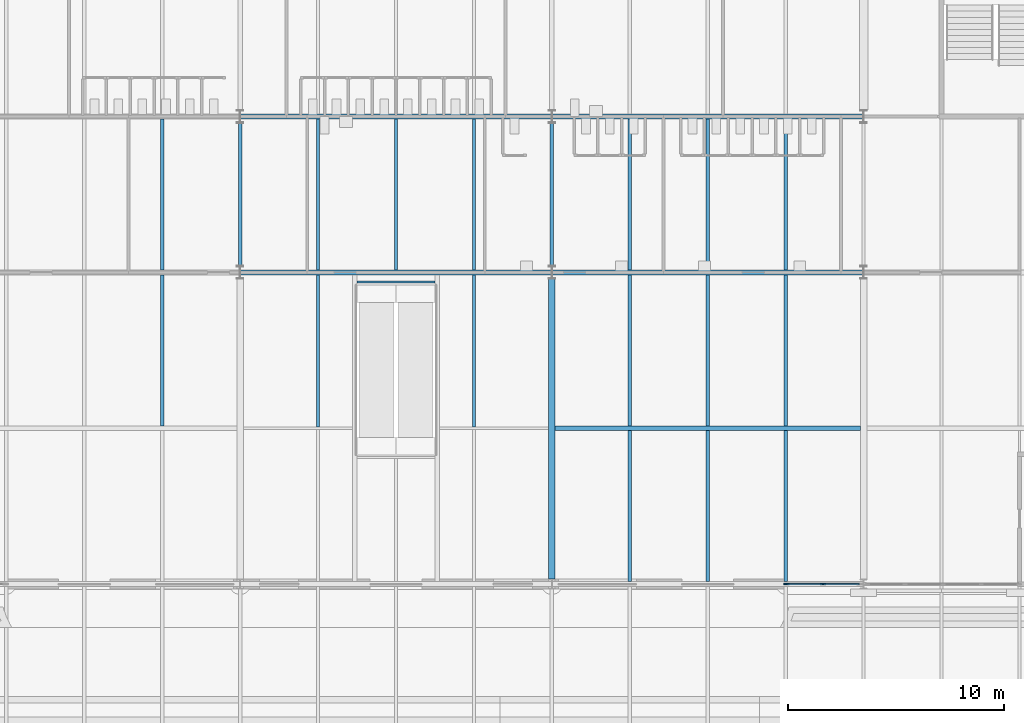
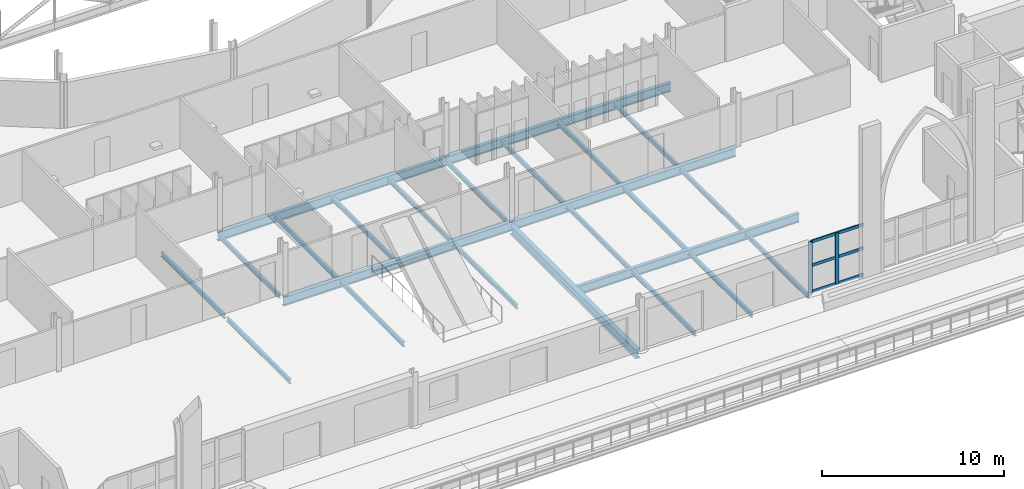
# One storey, part 32 of 143: 25 beams, 8 members, 1 element without a shape of its own.
"""IFC4 building model written with IfcOpenShell, lengths in metres."""

from ifc_helpers import new_model, si_unit, direction, frame, origin, origin_2d, place, context, subcontext, project, spatial, rectangle, i_section, extrude, material, material_profile, profile_set, type_object, element, aggregate, save


model = new_model("IFC4")

# Units and contexts
model_context = context("Model", 3, precision=1e-05, world=origin(), true_north=direction((0.0, 1.0)))
body_context = subcontext(model_context, "Body", "Model", "MODEL_VIEW")
ifc_project = project(units=[si_unit("LENGTHUNIT", "METRE"), si_unit("AREAUNIT", "SQUARE_METRE"), si_unit("VOLUMEUNIT", "CUBIC_METRE"), si_unit("PLANEANGLEUNIT", "RADIAN"), si_unit("MASSUNIT", "GRAM", prefix="KILO")], contexts=[model_context])

# Site, building, storey
site_placement = place(None, origin())
site = spatial("IfcSite", under=ifc_project, at=site_placement, CompositionType="ELEMENT")
building_placement = place(site_placement, origin())
building = spatial("IfcBuilding", under=site, at=building_placement, Name="Kupolbacken Congress Centre", CompositionType="ELEMENT")
storey_placement = place(building_placement, frame((0.0, 0.0, 7.199951171875)))
storey = spatial("IfcBuildingStorey", under=building, at=storey_placement, Name="L02", CompositionType="ELEMENT", Elevation=7.199951171875)

# Beams
ifc_material_1 = material(Name="Steel S355", Category="steel")
ifc_material_profile_1 = material_profile(ifc_material_1, i_section(OverallWidth=0.10009765625, OverallDepth=0.199951171875, WebThickness=0.005615234375, FlangeThickness=0.008544921875, FilletRadius=0.011962890625, at=origin_2d()), Name="IPE 200")
ifc_profile_set_1 = profile_set([ifc_material_profile_1], Name="Steel S355")
beam_type_1 = type_object("IfcBeamType", Name="B01 beam IPE 200", PredefinedType="BEAM", material=ifc_profile_set_1)
beam_1_placement = place(storey_placement, frame((41.39990234375, 42.747802734375, -0.280029296875), z_axis=(1.0, 0.0, 0.0), x_axis=(0.0, 1.0, 0.0)))
element("IfcBeam", 1, at=beam_1_placement, inside=storey, type_object=beam_type_1, Name="S/floor/F/L02/T049", PredefinedType="BEAM", context=body_context, shape_type="SweptSolid", body=[
    extrude(i_section(OverallWidth=0.10009765625, OverallDepth=0.199951171875, WebThickness=0.005615234375, FlangeThickness=0.008544921875, FilletRadius=0.011962890625, at=origin_2d()), origin(), (0.0, 0.0, 1.0), 3.60009765625),
])
ifc_material_2 = material(Name="Steel S355", Category="steel")
ifc_material_profile_2 = material_profile(ifc_material_2, i_section(OverallWidth=0.14990234375, OverallDepth=0.300048828125, WebThickness=0.007080078125, FlangeThickness=0.0107421875, FilletRadius=0.014892578125, at=origin_2d()), Name="IPE 300")
ifc_profile_set_2 = profile_set([ifc_material_profile_2], Name="Steel S355")
beam_type_2 = type_object("IfcBeamType", Name="B04 beam IPE 300", PredefinedType="BEAM", material=ifc_profile_set_2)
for number, where, z_axis, x_axis, name in (
    (2, (36.0, 43.5, -0.329833984375), (0.0, 1.0, 0.0), (-1.0, 0.0, 0.0), "S/floor/F/L02/G010"),
    (3, (50.39990234375, 43.5, -0.329833984375), (0.0, 1.0, 0.0), (-1.0, 0.0, 0.0), "S/floor/F/L02/G013"),
):
    element("IfcBeam", number, at=place(storey_placement, frame(where, z_axis=z_axis, x_axis=x_axis)), inside=storey, type_object=beam_type_2, Name=name, PredefinedType="BEAM", context=body_context, shape_type="SweptSolid", body=[
        extrude(i_section(OverallWidth=0.14990234375, OverallDepth=0.300048828125, WebThickness=0.007080078125, FlangeThickness=0.0107421875, FilletRadius=0.014892578125, at=origin_2d()), origin(), (0.0, 0.0, 1.0), 6.60009765625),
    ])
for number, where, z_axis, x_axis, name in (
    (4, (32.39990234375, 36.110107421875, -0.329833984375), (0.0, 1.0, 0.0), (-1.0, 0.0, 0.0), "S/floor/F/L02/S078"),
    (5, (32.39990234375, 43.31005859375, -0.329833984375), (0.0, 1.0, 0.0), (-1.0, 0.0, 0.0), "S/floor/F/L02/S079"),
):
    element("IfcBeam", number, at=place(storey_placement, frame(where, z_axis=z_axis, x_axis=x_axis)), inside=storey, type_object=beam_type_2, Name=name, PredefinedType="BEAM", context=body_context, shape_type="SweptSolid", body=[
        extrude(i_section(OverallWidth=0.14990234375, OverallDepth=0.300048828125, WebThickness=0.007080078125, FlangeThickness=0.0107421875, FilletRadius=0.014892578125, at=origin_2d()), origin(), (0.0, 0.0, 1.0), 6.97998046875),
    ])
beam_2_placement = place(storey_placement, frame((39.60009765625, 36.0673828125, -0.329833984375), z_axis=(0.0, 1.0, 0.0), x_axis=(-1.0, 0.0, 0.0)))
element("IfcBeam", 6, at=beam_2_placement, inside=storey, type_object=beam_type_2, Name="S/floor/F/L02/S082", PredefinedType="BEAM", context=body_context, shape_type="SweptSolid", body=[
    extrude(i_section(OverallWidth=0.14990234375, OverallDepth=0.300048828125, WebThickness=0.007080078125, FlangeThickness=0.0107421875, FilletRadius=0.014892578125, at=origin_2d()), origin(), (0.0, 0.0, 1.0), 7.022705078125),
])
for number, where, z_axis, x_axis, name in (
    (7, (39.60009765625, 43.31005859375, -0.329833984375), (0.0, 1.0, 0.0), (-1.0, 0.0, 0.0), "S/floor/F/L02/S083"),
    (8, (43.199951171875, 43.31005859375, -0.329833984375), (0.0, 1.0, 0.0), (-1.0, 0.0, 0.0), "S/floor/F/L02/S086"),
):
    element("IfcBeam", number, at=place(storey_placement, frame(where, z_axis=z_axis, x_axis=x_axis)), inside=storey, type_object=beam_type_2, Name=name, PredefinedType="BEAM", context=body_context, shape_type="SweptSolid", body=[
        extrude(i_section(OverallWidth=0.14990234375, OverallDepth=0.300048828125, WebThickness=0.007080078125, FlangeThickness=0.0107421875, FilletRadius=0.014892578125, at=origin_2d()), origin(), (0.0, 0.0, 1.0), 6.97998046875),
    ])
beam_3_placement = place(storey_placement, frame((46.800048828125, 36.0673828125, -0.329833984375), z_axis=(0.0, 1.0, 0.0), x_axis=(-1.0, 0.0, 0.0)))
element("IfcBeam", 9, at=beam_3_placement, inside=storey, type_object=beam_type_2, Name="S/floor/F/L02/S089", PredefinedType="BEAM", context=body_context, shape_type="SweptSolid", body=[
    extrude(i_section(OverallWidth=0.14990234375, OverallDepth=0.300048828125, WebThickness=0.007080078125, FlangeThickness=0.0107421875, FilletRadius=0.014892578125, at=origin_2d()), origin(), (0.0, 0.0, 1.0), 7.022705078125),
])
for number, where, z_axis, x_axis, name in (
    (10, (46.800048828125, 43.31005859375, -0.329833984375), (0.0, 1.0, 0.0), (-1.0, 0.0, 0.0), "S/floor/F/L02/S090"),
    (11, (54.0, 28.909912109375, -0.329833984375), (0.0, 1.0, 0.0), (-1.0, 0.0, 0.0), "S/floor/F/L02/S092"),
    (12, (54.0, 36.110107421875, -0.329833984375), (0.0, 1.0, 0.0), (-1.0, 0.0, 0.0), "S/floor/F/L02/S093"),
    (13, (54.0, 43.31005859375, -0.329833984375), (0.0, 1.0, 0.0), (-1.0, 0.0, 0.0), "S/floor/F/L02/S094"),
    (14, (57.60009765625, 28.909912109375, -0.329833984375), (0.0, 1.0, 0.0), (-1.0, 0.0, 0.0), "S/floor/F/L02/S096"),
    (15, (57.60009765625, 36.110107421875, -0.329833984375), (0.0, 1.0, 0.0), (-1.0, 0.0, 0.0), "S/floor/F/L02/S097"),
    (16, (57.60009765625, 43.31005859375, -0.329833984375), (0.0, 1.0, 0.0), (-1.0, 0.0, 0.0), "S/floor/F/L02/S098"),
    (17, (61.199951171875, 28.909912109375, -0.329833984375), (0.0, 1.0, 0.0), (-1.0, 0.0, 0.0), "S/floor/F/L02/S100"),
    (18, (61.199951171875, 36.110107421875, -0.329833984375), (0.0, 1.0, 0.0), (-1.0, 0.0, 0.0), "S/floor/F/L02/S101"),
    (19, (61.199951171875, 43.31005859375, -0.329833984375), (0.0, 1.0, 0.0), (-1.0, 0.0, 0.0), "S/floor/F/L02/S102"),
):
    element("IfcBeam", number, at=place(storey_placement, frame(where, z_axis=z_axis, x_axis=x_axis)), inside=storey, type_object=beam_type_2, Name=name, PredefinedType="BEAM", context=body_context, shape_type="SweptSolid", body=[
        extrude(i_section(OverallWidth=0.14990234375, OverallDepth=0.300048828125, WebThickness=0.007080078125, FlangeThickness=0.0107421875, FilletRadius=0.014892578125, at=origin_2d()), origin(), (0.0, 0.0, 1.0), 6.97998046875),
    ])
ifc_material_3 = material(Name="Steel S355", Category="steel")
ifc_material_profile_3 = material_profile(ifc_material_3, i_section(OverallWidth=0.219970703125, OverallDepth=0.60009765625, WebThickness=0.011962890625, FlangeThickness=0.01904296875, FilletRadius=0.02392578125, at=origin_2d()), Name="IPE 600")
ifc_profile_set_3 = profile_set([ifc_material_profile_3], Name="Steel S355")
beam_type_3 = type_object("IfcBeamType", Name="B11 beam IPE 600", PredefinedType="BEAM", material=ifc_profile_set_3)
for number, where, z_axis, x_axis, name in (
    (20, (36.0078125, 43.199951171875, -0.47998046875), (1.0, 0.0, 0.0), (0.0, 1.0, 0.0), "S/floor/F/L02/R028"),
    (21, (50.40771484375, 43.199951171875, -0.47998046875), (1.0, 0.0, 0.0), (0.0, 1.0, 0.0), "S/floor/F/L02/R029"),
    (22, (36.0078125, 50.39990234375, -0.47998046875), (1.0, 0.0, 0.0), (0.0, 1.0, 0.0), "S/floor/F/L02/R033"),
    (23, (50.40771484375, 50.39990234375, -0.47998046875), (1.0, 0.0, 0.0), (0.0, 1.0, 0.0), "S/floor/F/L02/R034"),
):
    element("IfcBeam", number, at=place(storey_placement, frame(where, z_axis=z_axis, x_axis=x_axis)), inside=storey, type_object=beam_type_3, Name=name, PredefinedType="BEAM", context=body_context, shape_type="SweptSolid", body=[
        extrude(i_section(OverallWidth=0.219970703125, OverallDepth=0.60009765625, WebThickness=0.011962890625, FlangeThickness=0.01904296875, FilletRadius=0.02392578125, at=origin_2d()), origin(), (0.0, 0.0, 1.0), 14.384521484375),
    ])
beam_4_placement = place(storey_placement, frame((50.550048828125, 36.0, -0.47998046875), z_axis=(1.0, 0.0, 0.0), x_axis=(0.0, 1.0, 0.0)))
element("IfcBeam", 24, at=beam_4_placement, inside=storey, type_object=beam_type_3, Name="S/floor/F/L02/R054", PredefinedType="BEAM", context=body_context, shape_type="SweptSolid", body=[
    extrude(i_section(OverallWidth=0.219970703125, OverallDepth=0.60009765625, WebThickness=0.011962890625, FlangeThickness=0.01904296875, FilletRadius=0.02392578125, at=origin_2d()), origin(), (0.0, 0.0, 1.0), 14.099853515625),
])
ifc_material_4 = material(Name="Steel S355", Category="steel")
ifc_material_profile_4 = material_profile(ifc_material_4, i_section(OverallWidth=0.300048828125, OverallDepth=0.60009765625, WebThickness=0.015380859375, FlangeThickness=0.030029296875, FilletRadius=0.027099609375, at=origin_2d()), Name="HEB 600")
ifc_profile_set_4 = profile_set([ifc_material_profile_4], Name="Steel S355")
beam_type_4 = type_object("IfcBeamType", Name="B15 beam HEB 600", PredefinedType="BEAM", material=ifc_profile_set_4)
beam_5_placement = place(storey_placement, frame((50.39990234375, 29.02490234375, -0.47998046875), z_axis=(0.0, 1.0, 0.0), x_axis=(-1.0, 0.0, 0.0)))
element("IfcBeam", 25, at=beam_5_placement, inside=storey, type_object=beam_type_4, Name="S/floor/F/L02/G012", PredefinedType="BEAM", context=body_context, shape_type="SweptSolid", body=[
    extrude(i_section(OverallWidth=0.300048828125, OverallDepth=0.60009765625, WebThickness=0.015380859375, FlangeThickness=0.030029296875, FilletRadius=0.027099609375, at=origin_2d()), origin(), (0.0, 0.0, 1.0), 13.875),
])

# Curtain wall, members
ifc_material_5 = material(Name="Aluminium mullion-transom frame with glass", Category="aluminium")
curtain_wall_type = type_object("IfcCurtainWallType", Name="CW2 curtain wall 3600x3600", PredefinedType="NOTDEFINED", material=ifc_material_5)
curtain_wall_placement = place(storey_placement, origin())
curtain_wall = element("IfcCurtainWall", 26, at=curtain_wall_placement, inside=storey, type_object=curtain_wall_type, Name="E/F/S/L02/237", PredefinedType="NOTDEFINED")
ifc_material_6 = material(Name="Aluminium alloy", Category="aluminium")
ifc_material_profile_5 = material_profile(ifc_material_6, rectangle(XDim=0.06005859375, YDim=0.25, at=origin_2d()), Name="60 x 250")
ifc_profile_set_5 = profile_set([ifc_material_profile_5], Name="Aluminium alloy")
member_type_1 = type_object("IfcMemberType", Name="MU3 mullion 60x250", PredefinedType="MULLION", material=ifc_profile_set_5)
member_1_placement = place(storey_placement, frame((61.22998046875, 28.800048828125, 0.0), z_axis=(0.0, 0.0, 1.0), x_axis=(0.0, 1.0, 0.0)))
member_1 = element("IfcMember", 27, at=member_1_placement, type_object=member_type_1, Name="CW2 mullion 1", PredefinedType="MULLION", context=body_context, shape_type="SweptSolid", body=[
    extrude(rectangle(XDim=0.06005859375, YDim=0.25, at=origin_2d()), origin(), (0.0, 0.0, 1.0), 3.420166015625),
])
member_2_placement = place(storey_placement, frame((62.925048828125, 28.800048828125, 0.0), z_axis=(0.0, 0.0, 1.0), x_axis=(0.0, 1.0, 0.0)))
member_2 = element("IfcMember", 28, at=member_2_placement, type_object=member_type_1, Name="CW2 mullion 2", PredefinedType="MULLION", context=body_context, shape_type="SweptSolid", body=[
    extrude(rectangle(XDim=0.06005859375, YDim=0.25, at=origin_2d()), origin(), (0.0, 0.0, 1.0), 3.420166015625),
])
ifc_material_7 = material(Name="Aluminium alloy", Category="aluminium")
ifc_material_profile_6 = material_profile(ifc_material_7, rectangle(XDim=0.06005859375, YDim=0.199951171875, at=origin_2d()), Name="60 x 200")
ifc_profile_set_6 = profile_set([ifc_material_profile_6], Name="Aluminium alloy")
member_type_2 = type_object("IfcMemberType", Name="TR3 transom 60x200", PredefinedType="MULLION", material=ifc_profile_set_6)
member_3_placement = place(storey_placement, frame((61.260009765625, 28.800048828125, 0.030029296875), z_axis=(1.0, 0.0, 0.0), x_axis=(0.0, 1.0, 0.0)))
member_3 = element("IfcMember", 29, at=member_3_placement, type_object=member_type_2, Name="CW2 transom 1.1", PredefinedType="MULLION", context=body_context, shape_type="SweptSolid", body=[
    extrude(rectangle(XDim=0.06005859375, YDim=0.199951171875, at=origin_2d()), origin(), (0.0, 0.0, 1.0), 1.635009765625),
])
member_4_placement = place(storey_placement, frame((61.260009765625, 28.800048828125, 1.800048828125), z_axis=(1.0, 0.0, 0.0), x_axis=(0.0, 1.0, 0.0)))
member_4 = element("IfcMember", 30, at=member_4_placement, type_object=member_type_2, Name="CW2 transom 1.2", PredefinedType="MULLION", context=body_context, shape_type="SweptSolid", body=[
    extrude(rectangle(XDim=0.06005859375, YDim=0.199951171875, at=origin_2d()), origin(), (0.0, 0.0, 1.0), 1.635009765625),
])
member_5_placement = place(storey_placement, frame((61.260009765625, 28.800048828125, 3.39013671875), z_axis=(1.0, 0.0, 0.0), x_axis=(0.0, 1.0, 0.0)))
member_5 = element("IfcMember", 31, at=member_5_placement, type_object=member_type_2, Name="CW2 transom 1.3", PredefinedType="MULLION", context=body_context, shape_type="SweptSolid", body=[
    extrude(rectangle(XDim=0.06005859375, YDim=0.199951171875, at=origin_2d()), origin(), (0.0, 0.0, 1.0), 1.635009765625),
])
member_6_placement = place(storey_placement, frame((62.955078125, 28.800048828125, 0.030029296875), z_axis=(1.0, 0.0, 0.0), x_axis=(0.0, 1.0, 0.0)))
member_6 = element("IfcMember", 32, at=member_6_placement, type_object=member_type_2, Name="CW2 transom 2.1", PredefinedType="MULLION", context=body_context, shape_type="SweptSolid", body=[
    extrude(rectangle(XDim=0.06005859375, YDim=0.199951171875, at=origin_2d()), origin(), (0.0, 0.0, 1.0), 1.635009765625),
])
member_7_placement = place(storey_placement, frame((62.955078125, 28.800048828125, 1.800048828125), z_axis=(1.0, 0.0, 0.0), x_axis=(0.0, 1.0, 0.0)))
member_7 = element("IfcMember", 33, at=member_7_placement, type_object=member_type_2, Name="CW2 transom 2.2", PredefinedType="MULLION", context=body_context, shape_type="SweptSolid", body=[
    extrude(rectangle(XDim=0.06005859375, YDim=0.199951171875, at=origin_2d()), origin(), (0.0, 0.0, 1.0), 1.635009765625),
])
member_8_placement = place(storey_placement, frame((62.955078125, 28.800048828125, 3.39013671875), z_axis=(1.0, 0.0, 0.0), x_axis=(0.0, 1.0, 0.0)))
member_8 = element("IfcMember", 34, at=member_8_placement, type_object=member_type_2, Name="CW2 transom 2.3", PredefinedType="MULLION", context=body_context, shape_type="SweptSolid", body=[
    extrude(rectangle(XDim=0.06005859375, YDim=0.199951171875, at=origin_2d()), origin(), (0.0, 0.0, 1.0), 1.635009765625),
])
aggregate(curtain_wall, [member_1, member_2, member_3, member_4, member_5, member_6, member_7, member_8])

save(model, "model.ifc")
